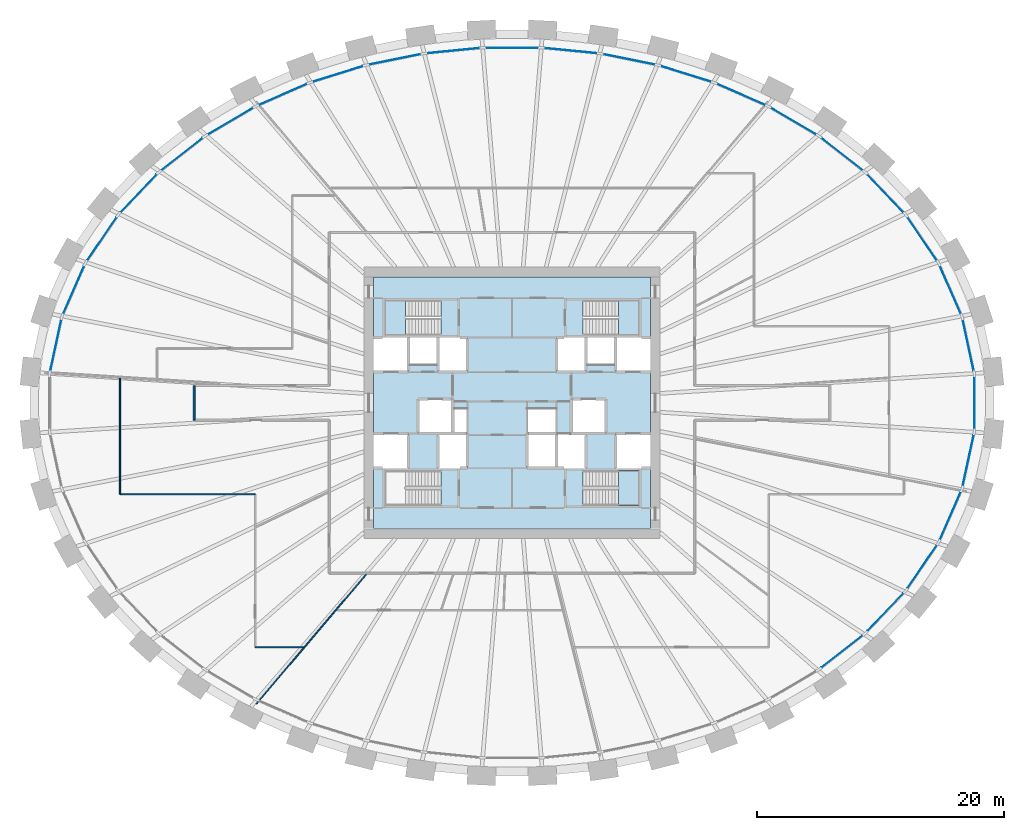
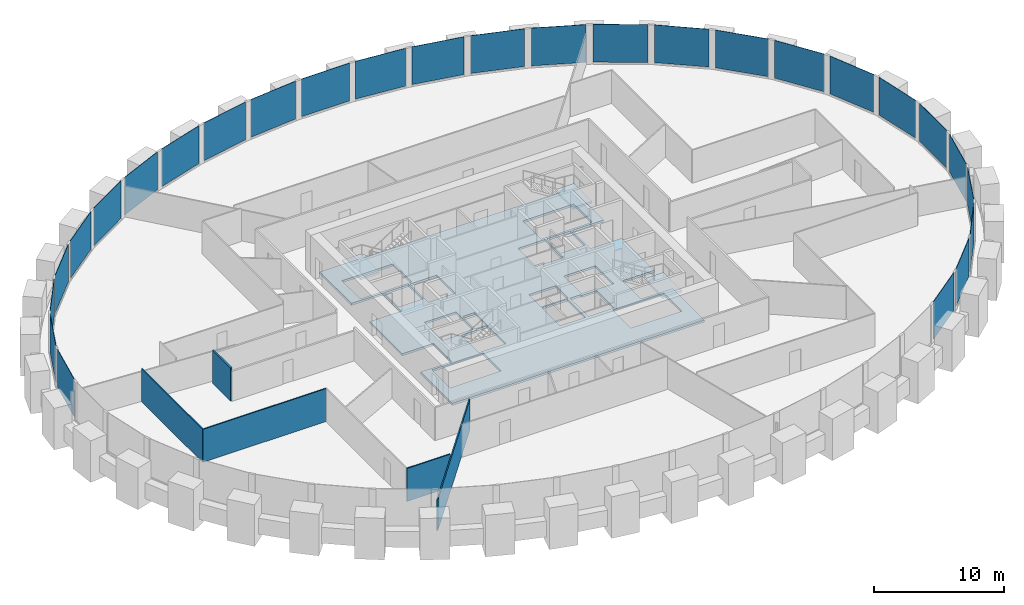
# One storey, part 5 of 11: 27 plates, 5 walls, 4 slabs, 4 elements without a shape of their own.
"""IFC4 building model written with IfcOpenShell, lengths in metres."""

import ifcopenshell
import ifcopenshell.guid

model = None  # the IFC model being written
_history = None  # IfcOwnerHistory: only IFC2X3 demands one
_inside = {}  # id of a spatial element -> (the spatial element, [elements in it])
_under = {}  # id of a project, library or spatial element -> (it, [spatial elements below it])
_declared = {}  # id of a project -> (the project, [libraries it declares])
_typed = {}  # id of a type object -> (the type object, [elements of that type])
_made_of = {}  # id of a material, layer set ... -> (it, [elements and type objects made of it])


def new_model(schema):
    """Start an empty IFC model of exactly this schema.

    Asked for "IFC4X3", IfcOpenShell would pick the latest addendum, in which some entities
    have other attributes; the version numbers below select the first issue.
    IFC2X3 requires an IfcOwnerHistory on every rooted entity: one is made here for all.
    """
    global model, _history
    if schema == "IFC4X3":
        model = ifcopenshell.file(schema_version=(4, 3, 0, 0))
    else:
        model = ifcopenshell.file(schema=schema)
    _inside.clear()
    _under.clear()
    _declared.clear()
    _typed.clear()
    _made_of.clear()
    _history = None
    if model.schema == "IFC2X3":
        org = make("IfcOrganization", Name="unknown")
        user = make(
            "IfcPersonAndOrganization",
            ThePerson=make("IfcPerson", FamilyName="unknown"),
            TheOrganization=org,
        )
        app = make(
            "IfcApplication",
            ApplicationDeveloper=org,
            Version="unknown",
            ApplicationFullName="unknown",
            ApplicationIdentifier="unknown",
        )
        _history = make(
            "IfcOwnerHistory",
            OwningUser=user,
            OwningApplication=app,
            ChangeAction="ADDED",
            CreationDate=0,
        )
    return model


def make(cls, **values):
    """One entity of the class cls with the attributes given. An attribute that is None is left unset."""
    return model.create_entity(
        cls, **{name: value for name, value in values.items() if value is not None}
    )


def rooted(cls, **values):
    """An entity with a GlobalId (a new one), such as an element, a storey or a relation."""
    return make(cls, GlobalId=ifcopenshell.guid.new(), OwnerHistory=_history, **values)


def si_unit(unit_type, name, prefix=None):
    """IfcSIUnit, for example si_unit("LENGTHUNIT", "METRE", prefix="MILLI")."""
    return make("IfcSIUnit", UnitType=unit_type, Prefix=prefix, Name=name)


def assignment(units):
    """IfcUnitAssignment: the units of a project."""
    return None if units is None else make("IfcUnitAssignment", Units=units)


def point(xyz):
    """IfcCartesianPoint."""
    return None if xyz is None else make("IfcCartesianPoint", Coordinates=xyz)


def direction(xyz):
    """IfcDirection."""
    return None if xyz is None else make("IfcDirection", DirectionRatios=xyz)


def frame(location, z_axis=None, x_axis=None):
    """IfcAxis2Placement3D, a coordinate frame: its origin and axes. An axis left out is left unset."""
    return make(
        "IfcAxis2Placement3D",
        Location=point(location),
        Axis=direction(z_axis),
        RefDirection=direction(x_axis),
    )


def frame_2d(location, x_axis=None):
    """IfcAxis2Placement2D, a coordinate frame in the plane: its origin and x axis."""
    return make(
        "IfcAxis2Placement2D", Location=point(location), RefDirection=direction(x_axis)
    )


def origin():
    """The frame at (0, 0, 0) with its axes left unset."""
    return frame((0.0, 0.0, 0.0))


def origin_2d():
    """The frame at (0, 0) in the plane with its x axis left unset."""
    return frame_2d((0.0, 0.0))


def place(relative_to, where):
    """IfcLocalPlacement: puts the frame where relative to a parent placement (None: the world)."""
    return make(
        "IfcLocalPlacement", PlacementRelTo=relative_to, RelativePlacement=where
    )


def context(
    kind, dimensions, precision=None, world=None, true_north=None, identifier=None
):
    """IfcGeometricRepresentationContext, for example the 3D "Model" context."""
    return make(
        "IfcGeometricRepresentationContext",
        ContextIdentifier=identifier,
        ContextType=kind,
        CoordinateSpaceDimension=dimensions,
        Precision=precision,
        WorldCoordinateSystem=world,
        TrueNorth=true_north,
    )


def subcontext(parent, identifier, kind, view, scale=None):
    """IfcGeometricRepresentationSubContext, for example "Body" below "Model"."""
    return make(
        "IfcGeometricRepresentationSubContext",
        ContextIdentifier=identifier,
        ContextType=kind,
        ParentContext=parent,
        TargetScale=scale,
        TargetView=view,
    )


def project(units=None, contexts=None):
    """IfcProject with its units and contexts."""
    return rooted(
        "IfcProject",
        Name="project",
        RepresentationContexts=contexts,
        UnitsInContext=assignment(units),
    )


def spatial(cls, under=None, at=None, **own):
    """A site, building, storey or space (cls), placed at a placement, below another one or the project."""
    s = rooted(cls, ObjectPlacement=at, **own)
    if under is not None:
        _under.setdefault(under.id(), (under, []))[1].append(s)
    return s


def polyline(points):
    """IfcPolyline through the points."""
    return make("IfcPolyline", Points=[point(p) for p in points])


def profile(cls, at=None, kind="AREA", **sizes):
    """A parametric profile (cls). Its sizes go by their IFC names, for example OverallWidth=200.0."""
    return make(cls, ProfileType=kind, Position=at, **sizes)


def rectangle(**sizes):
    """IfcRectangleProfileDef."""
    return profile("IfcRectangleProfileDef", **sizes)


def outline(outer, holes=None, kind="AREA"):
    """IfcArbitraryClosedProfileDef: a profile drawn as a closed curve; with holes, ...WithVoids."""
    if holes is None:
        return make("IfcArbitraryClosedProfileDef", ProfileType=kind, OuterCurve=outer)
    return make(
        "IfcArbitraryProfileDefWithVoids",
        ProfileType=kind,
        OuterCurve=outer,
        InnerCurves=holes,
    )


def extrude(swept, where, along, depth):
    """IfcExtrudedAreaSolid: the profile swept, set in the frame where, extruded along a direction by depth."""
    return make(
        "IfcExtrudedAreaSolid",
        SweptArea=swept,
        Position=where,
        ExtrudedDirection=direction(along),
        Depth=depth,
    )


def shape(context_of_items, identifier, shape_type, items):
    """IfcShapeRepresentation: the items that make up one representation, for example the "Body"."""
    return make(
        "IfcShapeRepresentation",
        ContextOfItems=context_of_items,
        RepresentationIdentifier=identifier,
        RepresentationType=shape_type,
        Items=items,
    )


def source(mapping_origin, context_of_items, identifier, shape_type, items):
    """IfcRepresentationMap: a shape defined once, which mapped items show again and again."""
    return make(
        "IfcRepresentationMap",
        MappingOrigin=mapping_origin,
        MappedRepresentation=shape(context_of_items, identifier, shape_type, items),
    )


def transform(
    local_origin,
    x_axis=None,
    y_axis=None,
    z_axis=None,
    scale=None,
    scale2=None,
    scale3=None,
    uniform=True,
):
    """IfcCartesianTransformationOperator3D, or its non-uniform kind. x_axis, y_axis, z_axis: its Axis1, 2, 3."""
    if uniform:
        return make(
            "IfcCartesianTransformationOperator3D",
            Axis1=direction(x_axis),
            Axis2=direction(y_axis),
            LocalOrigin=point(local_origin),
            Scale=scale,
            Axis3=direction(z_axis),
        )
    return make(
        "IfcCartesianTransformationOperator3DnonUniform",
        Axis1=direction(x_axis),
        Axis2=direction(y_axis),
        LocalOrigin=point(local_origin),
        Scale=scale,
        Axis3=direction(z_axis),
        Scale2=scale2,
        Scale3=scale3,
    )


def mapped(mapping_source, mapping_target):
    """IfcMappedItem: shows the shape of a source again, moved by a transform."""
    return make(
        "IfcMappedItem", MappingSource=mapping_source, MappingTarget=mapping_target
    )


def material(Name=None, Category=None):
    """IfcMaterial."""
    return make("IfcMaterial", Name=Name, Category=Category)


def layer(
    of_material, thickness, ventilated=None, Name=None, Category=None, Priority=None
):
    """IfcMaterialLayer: one layer of a wall or slab, of a material (None: an air gap)."""
    return make(
        "IfcMaterialLayer",
        Material=of_material,
        LayerThickness=thickness,
        IsVentilated=ventilated,
        Name=Name,
        Category=Category,
        Priority=Priority,
    )


def layer_set(layers, Name=None):
    """IfcMaterialLayerSet."""
    return make("IfcMaterialLayerSet", MaterialLayers=layers, LayerSetName=Name)


def made_of(thing, what):
    """Note that an element or type object is made of a material, layer set ...; save() writes the relation."""
    if what is not None:
        _made_of.setdefault(what.id(), (what, []))[1].append(thing)
    return thing


def type_object(cls, material=None, **own):
    """A type object (cls), such as IfcWallType, which elements share."""
    return made_of(rooted(cls, **own), material)


def element(
    cls,
    number,
    at=None,
    inside=None,
    cuts=None,
    type_object=None,
    material=None,
    context=None,
    identifier="Body",
    shape_type=None,
    held_by="IfcProductDefinitionShape",
    body=None,
    shapes=None,
    **own,
):
    """One element of the class cls, such as IfcWall. Its Tag is "e" and its number.

    at: its placement. inside: the storey or other place that contains it. cuts: it is an
    opening in that element (IfcRelVoidsElement). A single representation is given by context,
    identifier, shape_type and body (its items); several are given by shapes. held_by: the class
    of the entity that holds the representations. save() writes the other relations.
    """
    e = rooted(cls, Tag="e%d" % number, ObjectPlacement=at, **own)
    if body is not None:
        shapes = [shape(context, identifier, shape_type, body)]
    if shapes is not None:
        e.Representation = make(held_by, Representations=shapes)
    if inside is not None:
        _inside.setdefault(inside.id(), (inside, []))[1].append(e)
    if cuts is not None:
        rooted(
            "IfcRelVoidsElement", RelatingBuildingElement=cuts, RelatedOpeningElement=e
        )
    if type_object is not None:
        _typed.setdefault(type_object.id(), (type_object, []))[1].append(e)
    return made_of(e, material)


def aggregate(whole, parts):
    """IfcRelAggregates: a whole, such as a stair, and the parts it consists of."""
    return rooted("IfcRelAggregates", RelatingObject=whole, RelatedObjects=parts)


def save(model, path):
    """Write the relations noted so far, then the file.

    IfcRelAggregates (storeys below a building ...), IfcRelContainedInSpatialStructure (elements
    in a storey), IfcRelDefinesByType, IfcRelAssociatesMaterial and IfcRelDeclares: one each for
    every whole, place, type object, material and project.
    """
    for whole, parts in _under.values():
        aggregate(whole, parts)
    for where, things in _inside.values():
        rooted(
            "IfcRelContainedInSpatialStructure",
            RelatedElements=things,
            RelatingStructure=where,
        )
    for kind, things in _typed.values():
        rooted("IfcRelDefinesByType", RelatedObjects=things, RelatingType=kind)
    for what, things in _made_of.values():
        rooted("IfcRelAssociatesMaterial", RelatedObjects=things, RelatingMaterial=what)
    for by, libraries in _declared.values():
        rooted("IfcRelDeclares", RelatingContext=by, RelatedDefinitions=libraries)
    model.write(path)


model = new_model("IFC4")

# Units and contexts
model_context = context("Model", 3, precision=1e-05, world=origin(), true_north=direction((0.0, 1.0)))
body_context = subcontext(model_context, "Body", "Model", "MODEL_VIEW")
ifc_project = project(units=[si_unit("LENGTHUNIT", "METRE"), si_unit("AREAUNIT", "SQUARE_METRE"), si_unit("VOLUMEUNIT", "CUBIC_METRE"), si_unit("PLANEANGLEUNIT", "RADIAN"), si_unit("MASSUNIT", "GRAM", prefix="KILO")], contexts=[model_context])

# Site, building, storey
site_placement = place(None, origin())
site = spatial("IfcSite", under=ifc_project, at=site_placement, CompositionType="ELEMENT")
building_placement = place(site_placement, origin())
building = spatial("IfcBuilding", under=site, at=building_placement, Name="Embergate Tower", CompositionType="ELEMENT")
storey_placement = place(building_placement, frame((0.0, 0.0, 135.89990234375)))
storey = spatial("IfcBuildingStorey", under=building, at=storey_placement, Name="L29", CompositionType="ELEMENT", Elevation=135.89990234375)

# Curtain wall, plates
ifc_material_1 = material(Name="Aluminium and glass", Category="aluminium")
curtain_wall_type = type_object("IfcCurtainWallType", Name="Recessed office glazing", PredefinedType="NOTDEFINED", material=ifc_material_1)
curtain_wall_placement = place(storey_placement, origin())
curtain_wall = element("IfcCurtainWall", 1, at=curtain_wall_placement, inside=storey, type_object=curtain_wall_type, Name="Recessed office glazing ring", ObjectType="RECESSED OFFICE GLAZING", PredefinedType="USERDEFINED")
ifc_material_2 = material(Name="Triple glazing, low-emissivity coating", Category="glass")
ifc_layer_1 = layer(ifc_material_2, 0.035888671875)
ifc_layer_set_1 = layer_set([ifc_layer_1], Name="Triple glazing, low-emissivity coating")
plate_type = type_object("IfcPlateType", Name="Office glazing unit", PredefinedType="CURTAIN_PANEL", material=ifc_layer_set_1)
shared_shape_1 = source(origin(), body_context, "Body", "SweptSolid", [
    extrude(rectangle(XDim=4.25439453125, YDim=0.035888671875, at=origin_2d()), origin(), (0.0, 0.0, 1.0), 3.550048828125),
])
plate_1_placement = place(storey_placement, frame((9.481201171875, 27.817138671875, 0.14990234375), z_axis=(0.0, 0.0, 1.0), x_axis=(-0.980476250608, 0.196637539636, 0.0)))
plate_1 = element("IfcPlate", 2, at=plate_1_placement, type_object=plate_type, Name="CW panel 9.1", PredefinedType="CURTAIN_PANEL", context=body_context, shape_type="MappedRepresentation", body=[
    mapped(shared_shape_1, transform((0.0, 0.0, 0.0))),
])
plate_2_placement = place(storey_placement, frame((-9.481201171875, 27.817138671875, 0.14990234375), z_axis=(0.0, 0.0, 1.0), x_axis=(-0.980476250608, -0.196637539636, 0.0)))
plate_2 = element("IfcPlate", 3, at=plate_2_placement, type_object=plate_type, Name="CW panel 13.1", PredefinedType="CURTAIN_PANEL", context=body_context, shape_type="MappedRepresentation", body=[
    mapped(shared_shape_1, transform((0.0, 0.0, 0.0))),
])
shared_shape_2 = source(origin(), body_context, "Body", "SweptSolid", [
    extrude(rectangle(XDim=4.206298828125, YDim=0.035888671875, at=origin_2d()), origin(), (0.0, 0.0, 1.0), 3.550048828125),
])
plate_3_placement = place(storey_placement, frame((36.94921875, 4.672119140625, 0.14990234375), z_axis=(0.0, 0.0, 1.0), x_axis=(-0.210398391177, 0.97761573074, 0.0)))
plate_3 = element("IfcPlate", 4, at=plate_3_placement, type_object=plate_type, Name="CW panel 1.1", PredefinedType="CURTAIN_PANEL", context=body_context, shape_type="MappedRepresentation", body=[
    mapped(shared_shape_2, transform((0.0, 0.0, 0.0))),
])
plate_4_placement = place(storey_placement, frame((-36.94921875, 4.672119140625, 0.14990234375), z_axis=(0.0, 0.0, 1.0), x_axis=(-0.210398391177, -0.97761573074, 0.0)))
plate_4 = element("IfcPlate", 5, at=plate_4_placement, type_object=plate_type, Name="CW panel 21.1", PredefinedType="CURTAIN_PANEL", context=body_context, shape_type="MappedRepresentation", body=[
    mapped(shared_shape_2, transform((0.0, 0.0, 0.0))),
])
plate_5_placement = place(storey_placement, frame((36.94921875, -4.672119140625, 0.14990234375), z_axis=(0.0, 0.0, 1.0), x_axis=(0.210398391177, 0.97761573074, 0.0)))
plate_5 = element("IfcPlate", 6, at=plate_5_placement, type_object=plate_type, Name="CW panel 43.1", PredefinedType="CURTAIN_PANEL", context=body_context, shape_type="MappedRepresentation", body=[
    mapped(shared_shape_2, transform((0.0, 0.0, 0.0))),
])
shared_shape_3 = source(origin(), body_context, "Body", "SweptSolid", [
    extrude(rectangle(XDim=4.213134765625, YDim=0.035888671875, at=origin_2d()), origin(), (0.0, 0.0, 1.0), 3.550048828125),
])
plate_6_placement = place(storey_placement, frame((35.50146484375, 9.1494140625, 0.14990234375), z_axis=(0.0, 0.0, 1.0), x_axis=(-0.401655297873, 0.915790926844, 0.0)))
plate_6 = element("IfcPlate", 7, at=plate_6_placement, type_object=plate_type, Name="CW panel 2.1", PredefinedType="CURTAIN_PANEL", context=body_context, shape_type="MappedRepresentation", body=[
    mapped(shared_shape_3, transform((0.0, 0.0, 0.0))),
])
plate_7_placement = place(storey_placement, frame((-35.50146484375, 9.1494140625, 0.14990234375), z_axis=(0.0, 0.0, 1.0), x_axis=(-0.401655297873, -0.915790926844, 0.0)))
plate_7 = element("IfcPlate", 8, at=plate_7_placement, type_object=plate_type, Name="CW panel 20.1", PredefinedType="CURTAIN_PANEL", context=body_context, shape_type="MappedRepresentation", body=[
    mapped(shared_shape_3, transform((0.0, 0.0, 0.0))),
])
plate_8_placement = place(storey_placement, frame((35.50146484375, -9.1494140625, 0.14990234375), z_axis=(0.0, 0.0, 1.0), x_axis=(0.401655297873, 0.915790926844, 0.0)))
plate_8 = element("IfcPlate", 9, at=plate_8_placement, type_object=plate_type, Name="CW panel 42.1", PredefinedType="CURTAIN_PANEL", context=body_context, shape_type="MappedRepresentation", body=[
    mapped(shared_shape_3, transform((0.0, 0.0, 0.0))),
])
shared_shape_4 = source(origin(), body_context, "Body", "SweptSolid", [
    extrude(rectangle(XDim=4.22216796875, YDim=0.035888671875, at=origin_2d()), origin(), (0.0, 0.0, 1.0), 3.550048828125),
])
plate_9_placement = place(storey_placement, frame((33.217529296875, 13.27734375, 0.14990234375), z_axis=(0.0, 0.0, 1.0), x_axis=(-0.562344628355, 0.826902968286, 0.0)))
plate_9 = element("IfcPlate", 10, at=plate_9_placement, type_object=plate_type, Name="CW panel 3.1", PredefinedType="CURTAIN_PANEL", context=body_context, shape_type="MappedRepresentation", body=[
    mapped(shared_shape_4, transform((0.0, 0.0, 0.0))),
])
plate_10_placement = place(storey_placement, frame((-33.217529296875, 13.27734375, 0.14990234375), z_axis=(0.0, 0.0, 1.0), x_axis=(-0.562344628355, -0.826902968286, 0.0)))
plate_10 = element("IfcPlate", 11, at=plate_10_placement, type_object=plate_type, Name="CW panel 19.1", PredefinedType="CURTAIN_PANEL", context=body_context, shape_type="MappedRepresentation", body=[
    mapped(shared_shape_4, transform((0.0, 0.0, 0.0))),
])
plate_11_placement = place(storey_placement, frame((33.217529296875, -13.27734375, 0.14990234375), z_axis=(0.0, 0.0, 1.0), x_axis=(0.562344628355, 0.826902968286, 0.0)))
plate_11 = element("IfcPlate", 12, at=plate_11_placement, type_object=plate_type, Name="CW panel 41.1", PredefinedType="CURTAIN_PANEL", context=body_context, shape_type="MappedRepresentation", body=[
    mapped(shared_shape_4, transform((0.0, 0.0, 0.0))),
])
shared_shape_5 = source(origin(), body_context, "Body", "SweptSolid", [
    extrude(rectangle(XDim=4.230712890625, YDim=0.035888671875, at=origin_2d()), origin(), (0.0, 0.0, 1.0), 3.550048828125),
])
plate_12_placement = place(storey_placement, frame((30.244873046875, 16.95703125, 0.14990234375), z_axis=(0.0, 0.0, 1.0), x_axis=(-0.690137573644, 0.723678194673, 0.0)))
plate_12 = element("IfcPlate", 13, at=plate_12_placement, type_object=plate_type, Name="CW panel 4.1", PredefinedType="CURTAIN_PANEL", context=body_context, shape_type="MappedRepresentation", body=[
    mapped(shared_shape_5, transform((0.0, 0.0, 0.0))),
])
plate_13_placement = place(storey_placement, frame((-30.244873046875, 16.95703125, 0.14990234375), z_axis=(0.0, 0.0, 1.0), x_axis=(-0.690137573644, -0.723678194673, 0.0)))
plate_13 = element("IfcPlate", 14, at=plate_13_placement, type_object=plate_type, Name="CW panel 18.1", PredefinedType="CURTAIN_PANEL", context=body_context, shape_type="MappedRepresentation", body=[
    mapped(shared_shape_5, transform((0.0, 0.0, 0.0))),
])
plate_14_placement = place(storey_placement, frame((30.244873046875, -16.95703125, 0.14990234375), z_axis=(0.0, 0.0, 1.0), x_axis=(0.690137573644, 0.723678194673, 0.0)))
plate_14 = element("IfcPlate", 15, at=plate_14_placement, type_object=plate_type, Name="CW panel 40.1", PredefinedType="CURTAIN_PANEL", context=body_context, shape_type="MappedRepresentation", body=[
    mapped(shared_shape_5, transform((0.0, 0.0, 0.0))),
])
shared_shape_6 = source(origin(), body_context, "Body", "SweptSolid", [
    extrude(rectangle(XDim=4.23828125, YDim=0.035888671875, at=origin_2d()), origin(), (0.0, 0.0, 1.0), 3.550048828125),
])
plate_15_placement = place(storey_placement, frame((26.72998046875, 20.139892578125, 0.14990234375), z_axis=(0.0, 0.0, 1.0), x_axis=(-0.788322266931, 0.615262548398, 0.0)))
plate_15 = element("IfcPlate", 16, at=plate_15_placement, type_object=plate_type, Name="CW panel 5.1", PredefinedType="CURTAIN_PANEL", context=body_context, shape_type="MappedRepresentation", body=[
    mapped(shared_shape_6, transform((0.0, 0.0, 0.0))),
])
plate_16_placement = place(storey_placement, frame((-26.72998046875, 20.139892578125, 0.14990234375), z_axis=(0.0, 0.0, 1.0), x_axis=(-0.788322266931, -0.615262548398, 0.0)))
plate_16 = element("IfcPlate", 17, at=plate_16_placement, type_object=plate_type, Name="CW panel 17.1", PredefinedType="CURTAIN_PANEL", context=body_context, shape_type="MappedRepresentation", body=[
    mapped(shared_shape_6, transform((0.0, 0.0, 0.0))),
])
plate_17_placement = place(storey_placement, frame((26.72998046875, -20.139892578125, 0.14990234375), z_axis=(0.0, 0.0, 1.0), x_axis=(0.788322266931, 0.615262548398, 0.0)))
plate_17 = element("IfcPlate", 18, at=plate_17_placement, type_object=plate_type, Name="CW panel 39.1", PredefinedType="CURTAIN_PANEL", context=body_context, shape_type="MappedRepresentation", body=[
    mapped(shared_shape_6, transform((0.0, 0.0, 0.0))),
])
shared_shape_7 = source(origin(), body_context, "Body", "SweptSolid", [
    extrude(rectangle(XDim=4.244384765625, YDim=0.035888671875, at=origin_2d()), origin(), (0.0, 0.0, 1.0), 3.550048828125),
])
plate_18_placement = place(storey_placement, frame((22.801025390625, 22.810791015625, 0.14990234375), z_axis=(0.0, 0.0, 1.0), x_axis=(-0.862054936934, 0.506814843614, 0.0)))
plate_18 = element("IfcPlate", 19, at=plate_18_placement, type_object=plate_type, Name="CW panel 6.1", PredefinedType="CURTAIN_PANEL", context=body_context, shape_type="MappedRepresentation", body=[
    mapped(shared_shape_7, transform((0.0, 0.0, 0.0))),
])
plate_19_placement = place(storey_placement, frame((-22.801025390625, 22.810791015625, 0.14990234375), z_axis=(0.0, 0.0, 1.0), x_axis=(-0.862054936934, -0.506814843614, 0.0)))
plate_19 = element("IfcPlate", 20, at=plate_19_placement, type_object=plate_type, Name="CW panel 16.1", PredefinedType="CURTAIN_PANEL", context=body_context, shape_type="MappedRepresentation", body=[
    mapped(shared_shape_7, transform((0.0, 0.0, 0.0))),
])
shared_shape_8 = source(origin(), body_context, "Body", "SweptSolid", [
    extrude(rectangle(XDim=4.248779296875, YDim=0.035888671875, at=origin_2d()), origin(), (0.0, 0.0, 1.0), 3.550048828125),
])
plate_20_placement = place(storey_placement, frame((18.562744140625, 24.973388671875, 0.14990234375), z_axis=(0.0, 0.0, 1.0), x_axis=(-0.916236910986, 0.400636896638, 0.0)))
plate_20 = element("IfcPlate", 21, at=plate_20_placement, type_object=plate_type, Name="CW panel 7.1", PredefinedType="CURTAIN_PANEL", context=body_context, shape_type="MappedRepresentation", body=[
    mapped(shared_shape_8, transform((0.0, 0.0, 0.0))),
])
plate_21_placement = place(storey_placement, frame((-18.562744140625, 24.973388671875, 0.14990234375), z_axis=(0.0, 0.0, 1.0), x_axis=(-0.916236910986, -0.400636896638, 0.0)))
plate_21 = element("IfcPlate", 22, at=plate_21_placement, type_object=plate_type, Name="CW panel 15.1", PredefinedType="CURTAIN_PANEL", context=body_context, shape_type="MappedRepresentation", body=[
    mapped(shared_shape_8, transform((0.0, 0.0, 0.0))),
])
shared_shape_9 = source(origin(), body_context, "Body", "SweptSolid", [
    extrude(rectangle(XDim=4.252197265625, YDim=0.035888671875, at=origin_2d()), origin(), (0.0, 0.0, 1.0), 3.550048828125),
])
plate_22_placement = place(storey_placement, frame((14.10009765625, 26.63818359375, 0.14990234375), z_axis=(0.0, 0.0, 1.0), x_axis=(-0.954772736126, 0.297336547283, 0.0)))
plate_22 = element("IfcPlate", 23, at=plate_22_placement, type_object=plate_type, Name="CW panel 8.1", PredefinedType="CURTAIN_PANEL", context=body_context, shape_type="MappedRepresentation", body=[
    mapped(shared_shape_9, transform((0.0, 0.0, 0.0))),
])
plate_23_placement = place(storey_placement, frame((-14.10009765625, 26.63818359375, 0.14990234375), z_axis=(0.0, 0.0, 1.0), x_axis=(-0.954772736126, -0.297336547283, 0.0)))
plate_23 = element("IfcPlate", 24, at=plate_23_placement, type_object=plate_type, Name="CW panel 14.1", PredefinedType="CURTAIN_PANEL", context=body_context, shape_type="MappedRepresentation", body=[
    mapped(shared_shape_9, transform((0.0, 0.0, 0.0))),
])
shared_shape_10 = source(origin(), body_context, "Body", "SweptSolid", [
    extrude(rectangle(XDim=4.255615234375, YDim=0.035888671875, at=origin_2d()), origin(), (0.0, 0.0, 1.0), 3.550048828125),
])
plate_24_placement = place(storey_placement, frame((4.764404296875, 28.52001953125, 0.14990234375), z_axis=(0.0, 0.0, 1.0), x_axis=(-0.995203355531, 0.09782781373, 0.0)))
plate_24 = element("IfcPlate", 25, at=plate_24_placement, type_object=plate_type, Name="CW panel 10.1", PredefinedType="CURTAIN_PANEL", context=body_context, shape_type="MappedRepresentation", body=[
    mapped(shared_shape_10, transform((0.0, 0.0, 0.0))),
])
plate_25_placement = place(storey_placement, frame((-4.764404296875, 28.52001953125, 0.14990234375), z_axis=(0.0, 0.0, 1.0), x_axis=(-0.995203355531, -0.09782781373, 0.0)))
plate_25 = element("IfcPlate", 26, at=plate_25_placement, type_object=plate_type, Name="CW panel 12.1", PredefinedType="CURTAIN_PANEL", context=body_context, shape_type="MappedRepresentation", body=[
    mapped(shared_shape_10, transform((0.0, 0.0, 0.0))),
])
shared_shape_11 = source(origin(), body_context, "Body", "SweptSolid", [
    extrude(rectangle(XDim=4.256103515625, YDim=0.035888671875, at=origin_2d()), origin(), (0.0, 0.0, 1.0), 3.550048828125),
])
plate_26_placement = place(storey_placement, frame((0.0, 28.753662109375, 0.14990234375), z_axis=(0.0, 0.0, 1.0), x_axis=(-1.0, 0.0, 0.0)))
plate_26 = element("IfcPlate", 27, at=plate_26_placement, type_object=plate_type, Name="CW panel 11.1", PredefinedType="CURTAIN_PANEL", context=body_context, shape_type="MappedRepresentation", body=[
    mapped(shared_shape_11, transform((0.0, 0.0, 0.0))),
])
shared_shape_12 = source(origin(), body_context, "Body", "SweptSolid", [
    extrude(rectangle(XDim=4.20361328125, YDim=0.035888671875, at=origin_2d()), origin(), (0.0, 0.0, 1.0), 3.550048828125),
])
plate_27_placement = place(storey_placement, frame((37.4462890625, 0.0, 0.14990234375), z_axis=(0.0, 0.0, 1.0), x_axis=(0.0, 1.0, 0.0)))
plate_27 = element("IfcPlate", 28, at=plate_27_placement, type_object=plate_type, Name="CW panel 44.1", PredefinedType="CURTAIN_PANEL", context=body_context, shape_type="MappedRepresentation", body=[
    mapped(shared_shape_12, transform((0.0, 0.0, 0.0))),
])
aggregate(curtain_wall, [plate_3, plate_6, plate_9, plate_12, plate_15, plate_18, plate_20, plate_22, plate_1, plate_24, plate_26, plate_25, plate_2, plate_23, plate_21, plate_19, plate_16, plate_13, plate_10, plate_7, plate_4, plate_17, plate_14, plate_11, plate_8, plate_5, plate_27])

# Stair, slab
ifc_material_3 = material(Name="Exit stair")
stair_type = type_object("IfcStairType", Name="Exit stair", PredefinedType="HALF_TURN_STAIR", material=ifc_material_3)
stair_1_placement = place(storey_placement, origin())
stair_1 = element("IfcStair", 29, at=stair_1_placement, inside=storey, type_object=stair_type, Name="L29 Exit stair 1", PredefinedType="HALF_TURN_STAIR")
ifc_material_4 = material(Name="Concrete C40", Category="concrete")
ifc_layer_2 = layer(ifc_material_4, 0.199951171875)
ifc_layer_set_2 = layer_set([ifc_layer_2], Name="Concrete C40")
slab_type_1 = type_object("IfcSlabType", Name="Stair landing reinforced concrete", PredefinedType="LANDING", material=ifc_layer_set_2)
shared_shape_13 = source(origin(), body_context, "Body", "SweptSolid", [
    extrude(outline(polyline([(0.0, 0.0), (1.68994140625, 0.0), (1.68994140625, 2.800048828125), (0.0, 2.800048828125), (0.0, 0.0)])), origin(), (0.0, 0.0, 1.0), 0.2001953125),
])
slab_1_placement = place(storey_placement, frame((-10.300048828125, 5.5, 1.75)))
slab_1 = element("IfcSlab", 30, at=slab_1_placement, type_object=slab_type_1, Name="ST1 landing 1", PredefinedType="LANDING", context=body_context, shape_type="MappedRepresentation", body=[
    mapped(shared_shape_13, transform((0.0, 0.0, 0.0))),
])
aggregate(stair_1, [slab_1])

stair_2_placement = place(storey_placement, origin())
stair_2 = element("IfcStair", 31, at=stair_2_placement, inside=storey, type_object=stair_type, Name="L29 Exit stair 2", PredefinedType="HALF_TURN_STAIR")
slab_2_placement = place(storey_placement, frame((8.610107421875, 5.5, 1.75)))
slab_2 = element("IfcSlab", 32, at=slab_2_placement, type_object=slab_type_1, Name="ST2 landing 1", PredefinedType="LANDING", context=body_context, shape_type="MappedRepresentation", body=[
    mapped(shared_shape_13, transform((0.0, 0.0, 0.0))),
])
aggregate(stair_2, [slab_2])

stair_3_placement = place(storey_placement, origin())
stair_3 = element("IfcStair", 33, at=stair_3_placement, inside=storey, type_object=stair_type, Name="L29 Exit stair 4", PredefinedType="HALF_TURN_STAIR")
slab_3_placement = place(storey_placement, frame((8.610107421875, -8.300048828125, 1.75)))
slab_3 = element("IfcSlab", 34, at=slab_3_placement, type_object=slab_type_1, Name="ST4 landing 1", PredefinedType="LANDING", context=body_context, shape_type="MappedRepresentation", body=[
    mapped(shared_shape_13, transform((0.0, 0.0, 0.0))),
])
aggregate(stair_3, [slab_3])

# Slab
ifc_layer_3 = layer(ifc_material_4, 0.199951171875)
ifc_layer_set_3 = layer_set([ifc_layer_3], Name="Concrete C40")
slab_type_2 = type_object("IfcSlabType", Name="Core floor slab 200 reinforced concrete", PredefinedType="FLOOR", material=ifc_layer_set_3)
shared_shape_14 = source(origin(), body_context, "Body", "SweptSolid", [
    extrude(outline(polyline([(0.0, 0.0), (22.39990234375, 0.0), (22.39990234375, 4.89990234375), (19.599853515625, 4.89990234375), (19.599853515625, 7.699951171875), (22.39990234375, 7.699951171875), (22.39990234375, 12.699951171875), (19.599853515625, 12.699951171875), (19.599853515625, 15.5), (22.39990234375, 15.5), (22.39990234375, 20.39990234375), (0.0, 20.39990234375), (0.0, 15.5), (2.800048828125, 15.5), (2.800048828125, 12.699951171875), (0.0, 12.699951171875), (0.0, 7.699951171875), (2.800048828125, 7.699951171875), (2.800048828125, 4.89990234375), (0.0, 4.89990234375), (0.0, 0.0)]), holes=[polyline([(0.89990234375, 1.89990234375), (0.89990234375, 4.699951171875), (5.43994140625, 4.699951171875), (5.43994140625, 1.89990234375), (0.89990234375, 1.89990234375)]), polyline([(16.9599609375, 1.89990234375), (16.9599609375, 4.699951171875), (21.5, 4.699951171875), (21.5, 1.89990234375), (16.9599609375, 1.89990234375)]), polyline([(5.199951171875, 4.89990234375), (5.199951171875, 7.574951171875), (6.52490234375, 7.574951171875), (6.52490234375, 7.699951171875), (7.599853515625, 7.699951171875), (7.599853515625, 4.89990234375), (5.199951171875, 4.89990234375)]), polyline([(12.39990234375, 4.89990234375), (12.39990234375, 7.699951171875), (14.675048828125, 7.699951171875), (14.675048828125, 4.89990234375), (12.39990234375, 4.89990234375)]), polyline([(14.925048828125, 4.89990234375), (14.925048828125, 7.699951171875), (15.875, 7.699951171875), (15.875, 7.574951171875), (17.199951171875, 7.574951171875), (17.199951171875, 4.89990234375), (14.925048828125, 4.89990234375)]), polyline([(3.599853515625, 7.699951171875), (3.599853515625, 10.5), (6.39990234375, 10.5), (6.39990234375, 7.824951171875), (5.074951171875, 7.824951171875), (5.074951171875, 7.699951171875), (3.599853515625, 7.699951171875)]), polyline([(17.324951171875, 7.699951171875), (17.324951171875, 7.824951171875), (16.0, 7.824951171875), (16.0, 10.5), (18.800048828125, 10.5), (18.800048828125, 7.699951171875), (17.324951171875, 7.699951171875)]), polyline([(6.52490234375, 7.824951171875), (6.52490234375, 9.699951171875), (7.599853515625, 9.699951171875), (7.599853515625, 7.824951171875), (6.52490234375, 7.824951171875)]), polyline([(12.39990234375, 7.824951171875), (12.39990234375, 9.699951171875), (14.800048828125, 9.699951171875), (14.800048828125, 7.824951171875), (14.675048828125, 7.824951171875), (12.39990234375, 7.824951171875)]), polyline([(5.199951171875, 12.699951171875), (5.199951171875, 15.5), (7.599853515625, 15.5), (7.599853515625, 12.699951171875), (5.199951171875, 12.699951171875)]), polyline([(14.800048828125, 12.699951171875), (14.800048828125, 15.5), (17.199951171875, 15.5), (17.199951171875, 12.699951171875), (14.800048828125, 12.699951171875)]), polyline([(2.925048828125, 13.300048828125), (2.925048828125, 15.5), (5.074951171875, 15.5), (5.074951171875, 13.300048828125), (2.925048828125, 13.300048828125)]), polyline([(17.324951171875, 13.300048828125), (17.324951171875, 15.5), (19.474853515625, 15.5), (19.474853515625, 13.300048828125), (17.324951171875, 13.300048828125)]), polyline([(0.89990234375, 15.699951171875), (0.89990234375, 18.5), (5.43994140625, 18.5), (5.43994140625, 15.699951171875), (0.89990234375, 15.699951171875)]), polyline([(16.9599609375, 15.699951171875), (16.9599609375, 18.5), (21.5, 18.5), (21.5, 15.699951171875), (16.9599609375, 15.699951171875)])]), origin(), (0.0, 0.0, 1.0), 0.199951171875),
])
slab_4_placement = place(storey_placement, frame((-11.199951171875, -10.199951171875, -0.199951171875)))
element("IfcSlab", 35, at=slab_4_placement, inside=storey, type_object=slab_type_2, Name="Core floor slab", PredefinedType="FLOOR", context=body_context, shape_type="MappedRepresentation", body=[
    mapped(shared_shape_14, transform((0.0, 0.0, 0.0))),
])

# Walls
ifc_material_5 = material(Name="Corridor wall dry-lined 150")
ifc_layer_4 = layer(ifc_material_5, 0.14990234375)
ifc_layer_set_4 = layer_set([ifc_layer_4], Name="Corridor wall dry-lined 150")
wall_type_1 = type_object("IfcWallType", Name="Corridor wall dry-lined 150", PredefinedType="PARTITIONING", material=ifc_layer_set_4)
shared_shape_15 = source(origin(), body_context, "Body", "SweptSolid", [
    extrude(rectangle(XDim=2.7998046875, YDim=0.14990234375, at=frame_2d((1.39990234375, 0.0))), origin(), (0.0, 0.0, 1.0), 3.10009765625),
])
wall_1_placement = place(storey_placement, frame((-25.75, 1.39990234375, 0.0), z_axis=(0.0, 0.0, 1.0), x_axis=(0.0, -1.0, 0.0)))
element("IfcWall", 36, at=wall_1_placement, inside=storey, type_object=wall_type_1, Name="IP-2 wall", PredefinedType="PARTITIONING", context=body_context, shape_type="MappedRepresentation", body=[
    mapped(shared_shape_15, transform((0.0, 0.0, 0.0))),
])
ifc_material_6 = material(Name="Partition dry-lined 100")
ifc_layer_5 = layer(ifc_material_6, 0.10009765625)
ifc_layer_set_5 = layer_set([ifc_layer_5], Name="Partition dry-lined 100")
wall_type_2 = type_object("IfcWallType", Name="Partition dry-lined 100", PredefinedType="PARTITIONING", material=ifc_layer_set_5)
shared_shape_16 = source(origin(), body_context, "Body", "SweptSolid", [
    extrude(rectangle(XDim=10.949951171875, YDim=0.10009765625, at=frame_2d((5.47509765625, 0.0))), origin(), (0.0, 0.0, 1.0), 3.10009765625),
])
wall_2_placement = place(storey_placement, frame((-20.800048828125, -7.39990234375, 0.0), z_axis=(0.0, 0.0, 1.0), x_axis=(-1.0, 0.0, 0.0)))
element("IfcWall", 37, at=wall_2_placement, inside=storey, type_object=wall_type_2, Name="IP-1 wall", PredefinedType="PARTITIONING", context=body_context, shape_type="MappedRepresentation", body=[
    mapped(shared_shape_16, transform((0.0, 0.0, 0.0))),
])
shared_shape_17 = source(origin(), body_context, "Body", "SweptSolid", [
    extrude(rectangle(XDim=9.393798828125, YDim=0.10009765625, at=frame_2d((4.69677734375, 0.0))), origin(), (0.0, 0.0, 1.0), 3.10009765625),
])
wall_3_placement = place(storey_placement, frame((-31.75, -7.39990234375, 0.0), z_axis=(0.0, 0.0, 1.0), x_axis=(0.0, 1.0, 0.0)))
element("IfcWall", 38, at=wall_3_placement, inside=storey, type_object=wall_type_2, Name="IP-1 wall", PredefinedType="PARTITIONING", context=body_context, shape_type="MappedRepresentation", body=[
    mapped(shared_shape_17, transform((0.0, 0.0, 0.0))),
])
shared_shape_18 = source(origin(), body_context, "Body", "SweptSolid", [
    extrude(rectangle(XDim=3.8720703125, YDim=0.10009765625, at=frame_2d((1.93603515625, 0.0))), origin(), (0.0, 0.0, 1.0), 3.10009765625),
])
wall_4_placement = place(storey_placement, frame((-20.800048828125, -19.800048828125, 0.0), z_axis=(0.0, 0.0, 1.0), x_axis=(1.0, 0.0, 0.0)))
element("IfcWall", 39, at=wall_4_placement, inside=storey, type_object=wall_type_2, Name="IP-1 wall", PredefinedType="PARTITIONING", context=body_context, shape_type="MappedRepresentation", body=[
    mapped(shared_shape_18, transform((0.0, 0.0, 0.0))),
])
shared_shape_19 = source(origin(), body_context, "Body", "SweptSolid", [
    extrude(rectangle(XDim=13.751953125, YDim=0.10009765625, at=frame_2d((6.8759765625, 0.0))), origin(), (0.0, 0.0, 1.0), 2.900146484375),
])
wall_5_placement = place(storey_placement, frame((-20.717041015625, -24.387939453125, 0.0), z_axis=(0.0, 0.0, 1.0), x_axis=(0.647406181073, 0.762145154618, 0.0)))
element("IfcWall", 40, at=wall_5_placement, inside=storey, type_object=wall_type_2, Name="IP-1 wall", PredefinedType="PARTITIONING", context=body_context, shape_type="MappedRepresentation", body=[
    mapped(shared_shape_19, transform((0.0, 0.0, 0.0))),
])

save(model, "model.ifc")
